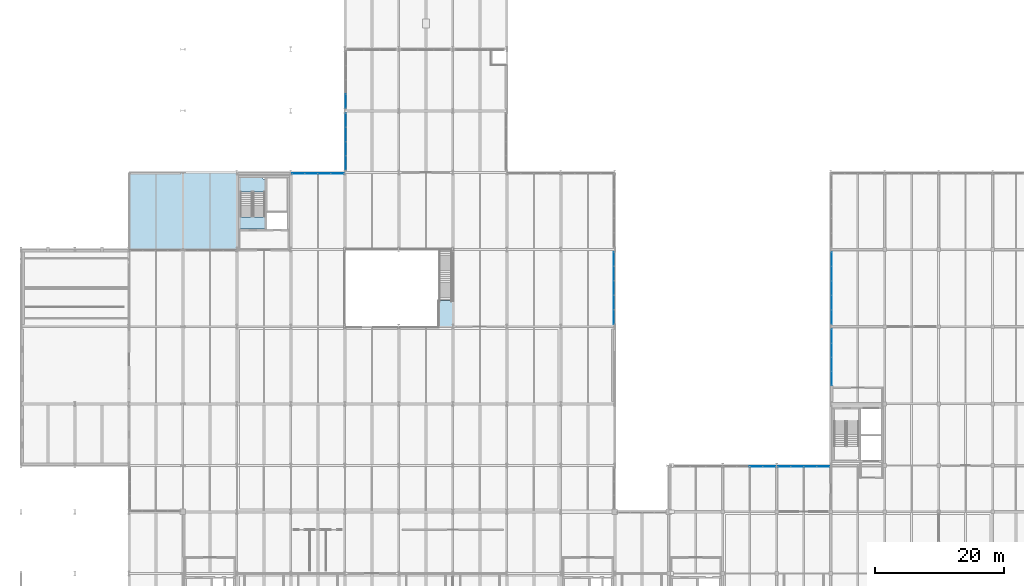
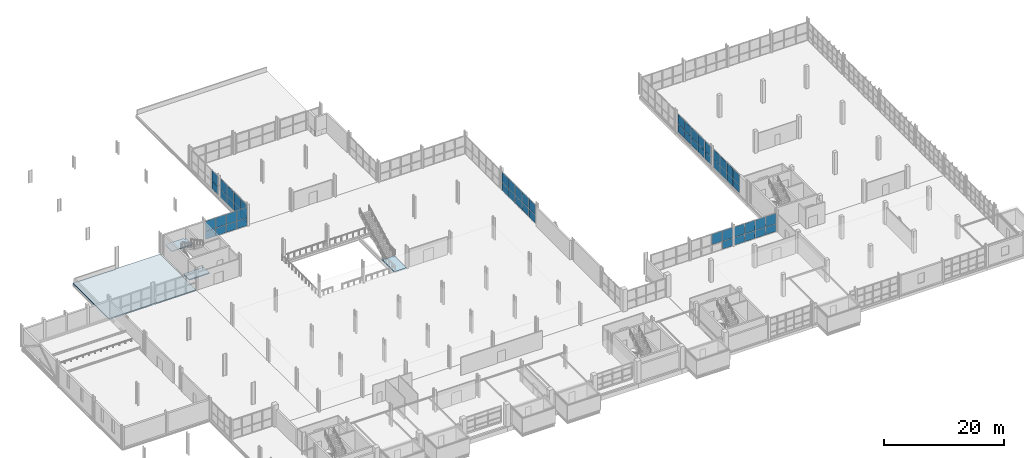
# One storey, part 89 of 113: 57 plates, 4 slabs, 9 elements without a shape of their own.
"""IFC4 building model written with IfcOpenShell, lengths in metres."""

import ifcopenshell
import ifcopenshell.guid

model = None  # the IFC model being written
_history = None  # IfcOwnerHistory: only IFC2X3 demands one
_inside = {}  # id of a spatial element -> (the spatial element, [elements in it])
_under = {}  # id of a project, library or spatial element -> (it, [spatial elements below it])
_declared = {}  # id of a project -> (the project, [libraries it declares])
_typed = {}  # id of a type object -> (the type object, [elements of that type])
_made_of = {}  # id of a material, layer set ... -> (it, [elements and type objects made of it])


def new_model(schema):
    """Start an empty IFC model of exactly this schema.

    Asked for "IFC4X3", IfcOpenShell would pick the latest addendum, in which some entities
    have other attributes; the version numbers below select the first issue.
    IFC2X3 requires an IfcOwnerHistory on every rooted entity: one is made here for all.
    """
    global model, _history
    if schema == "IFC4X3":
        model = ifcopenshell.file(schema_version=(4, 3, 0, 0))
    else:
        model = ifcopenshell.file(schema=schema)
    _inside.clear()
    _under.clear()
    _declared.clear()
    _typed.clear()
    _made_of.clear()
    _history = None
    if model.schema == "IFC2X3":
        org = make("IfcOrganization", Name="unknown")
        user = make(
            "IfcPersonAndOrganization",
            ThePerson=make("IfcPerson", FamilyName="unknown"),
            TheOrganization=org,
        )
        app = make(
            "IfcApplication",
            ApplicationDeveloper=org,
            Version="unknown",
            ApplicationFullName="unknown",
            ApplicationIdentifier="unknown",
        )
        _history = make(
            "IfcOwnerHistory",
            OwningUser=user,
            OwningApplication=app,
            ChangeAction="ADDED",
            CreationDate=0,
        )
    return model


def make(cls, **values):
    """One entity of the class cls with the attributes given. An attribute that is None is left unset."""
    return model.create_entity(
        cls, **{name: value for name, value in values.items() if value is not None}
    )


def rooted(cls, **values):
    """An entity with a GlobalId (a new one), such as an element, a storey or a relation."""
    return make(cls, GlobalId=ifcopenshell.guid.new(), OwnerHistory=_history, **values)


def si_unit(unit_type, name, prefix=None):
    """IfcSIUnit, for example si_unit("LENGTHUNIT", "METRE", prefix="MILLI")."""
    return make("IfcSIUnit", UnitType=unit_type, Prefix=prefix, Name=name)


def assignment(units):
    """IfcUnitAssignment: the units of a project."""
    return None if units is None else make("IfcUnitAssignment", Units=units)


def point(xyz):
    """IfcCartesianPoint."""
    return None if xyz is None else make("IfcCartesianPoint", Coordinates=xyz)


def direction(xyz):
    """IfcDirection."""
    return None if xyz is None else make("IfcDirection", DirectionRatios=xyz)


def frame(location, z_axis=None, x_axis=None):
    """IfcAxis2Placement3D, a coordinate frame: its origin and axes. An axis left out is left unset."""
    return make(
        "IfcAxis2Placement3D",
        Location=point(location),
        Axis=direction(z_axis),
        RefDirection=direction(x_axis),
    )


def frame_2d(location, x_axis=None):
    """IfcAxis2Placement2D, a coordinate frame in the plane: its origin and x axis."""
    return make(
        "IfcAxis2Placement2D", Location=point(location), RefDirection=direction(x_axis)
    )


def origin():
    """The frame at (0, 0, 0) with its axes left unset."""
    return frame((0.0, 0.0, 0.0))


def origin_2d():
    """The frame at (0, 0) in the plane with its x axis left unset."""
    return frame_2d((0.0, 0.0))


def place(relative_to, where):
    """IfcLocalPlacement: puts the frame where relative to a parent placement (None: the world)."""
    return make(
        "IfcLocalPlacement", PlacementRelTo=relative_to, RelativePlacement=where
    )


def context(
    kind, dimensions, precision=None, world=None, true_north=None, identifier=None
):
    """IfcGeometricRepresentationContext, for example the 3D "Model" context."""
    return make(
        "IfcGeometricRepresentationContext",
        ContextIdentifier=identifier,
        ContextType=kind,
        CoordinateSpaceDimension=dimensions,
        Precision=precision,
        WorldCoordinateSystem=world,
        TrueNorth=true_north,
    )


def subcontext(parent, identifier, kind, view, scale=None):
    """IfcGeometricRepresentationSubContext, for example "Body" below "Model"."""
    return make(
        "IfcGeometricRepresentationSubContext",
        ContextIdentifier=identifier,
        ContextType=kind,
        ParentContext=parent,
        TargetScale=scale,
        TargetView=view,
    )


def project(units=None, contexts=None):
    """IfcProject with its units and contexts."""
    return rooted(
        "IfcProject",
        Name="project",
        RepresentationContexts=contexts,
        UnitsInContext=assignment(units),
    )


def spatial(cls, under=None, at=None, **own):
    """A site, building, storey or space (cls), placed at a placement, below another one or the project."""
    s = rooted(cls, ObjectPlacement=at, **own)
    if under is not None:
        _under.setdefault(under.id(), (under, []))[1].append(s)
    return s


def polyline(points):
    """IfcPolyline through the points."""
    return make("IfcPolyline", Points=[point(p) for p in points])


def profile(cls, at=None, kind="AREA", **sizes):
    """A parametric profile (cls). Its sizes go by their IFC names, for example OverallWidth=200.0."""
    return make(cls, ProfileType=kind, Position=at, **sizes)


def rectangle(**sizes):
    """IfcRectangleProfileDef."""
    return profile("IfcRectangleProfileDef", **sizes)


def outline(outer, holes=None, kind="AREA"):
    """IfcArbitraryClosedProfileDef: a profile drawn as a closed curve; with holes, ...WithVoids."""
    if holes is None:
        return make("IfcArbitraryClosedProfileDef", ProfileType=kind, OuterCurve=outer)
    return make(
        "IfcArbitraryProfileDefWithVoids",
        ProfileType=kind,
        OuterCurve=outer,
        InnerCurves=holes,
    )


def extrude(swept, where, along, depth):
    """IfcExtrudedAreaSolid: the profile swept, set in the frame where, extruded along a direction by depth."""
    return make(
        "IfcExtrudedAreaSolid",
        SweptArea=swept,
        Position=where,
        ExtrudedDirection=direction(along),
        Depth=depth,
    )


def shape(context_of_items, identifier, shape_type, items):
    """IfcShapeRepresentation: the items that make up one representation, for example the "Body"."""
    return make(
        "IfcShapeRepresentation",
        ContextOfItems=context_of_items,
        RepresentationIdentifier=identifier,
        RepresentationType=shape_type,
        Items=items,
    )


def material(Name=None, Category=None):
    """IfcMaterial."""
    return make("IfcMaterial", Name=Name, Category=Category)


def layer(
    of_material, thickness, ventilated=None, Name=None, Category=None, Priority=None
):
    """IfcMaterialLayer: one layer of a wall or slab, of a material (None: an air gap)."""
    return make(
        "IfcMaterialLayer",
        Material=of_material,
        LayerThickness=thickness,
        IsVentilated=ventilated,
        Name=Name,
        Category=Category,
        Priority=Priority,
    )


def layer_set(layers, Name=None):
    """IfcMaterialLayerSet."""
    return make("IfcMaterialLayerSet", MaterialLayers=layers, LayerSetName=Name)


def made_of(thing, what):
    """Note that an element or type object is made of a material, layer set ...; save() writes the relation."""
    if what is not None:
        _made_of.setdefault(what.id(), (what, []))[1].append(thing)
    return thing


def type_object(cls, material=None, **own):
    """A type object (cls), such as IfcWallType, which elements share."""
    return made_of(rooted(cls, **own), material)


def element(
    cls,
    number,
    at=None,
    inside=None,
    cuts=None,
    type_object=None,
    material=None,
    context=None,
    identifier="Body",
    shape_type=None,
    held_by="IfcProductDefinitionShape",
    body=None,
    shapes=None,
    **own,
):
    """One element of the class cls, such as IfcWall. Its Tag is "e" and its number.

    at: its placement. inside: the storey or other place that contains it. cuts: it is an
    opening in that element (IfcRelVoidsElement). A single representation is given by context,
    identifier, shape_type and body (its items); several are given by shapes. held_by: the class
    of the entity that holds the representations. save() writes the other relations.
    """
    e = rooted(cls, Tag="e%d" % number, ObjectPlacement=at, **own)
    if body is not None:
        shapes = [shape(context, identifier, shape_type, body)]
    if shapes is not None:
        e.Representation = make(held_by, Representations=shapes)
    if inside is not None:
        _inside.setdefault(inside.id(), (inside, []))[1].append(e)
    if cuts is not None:
        rooted(
            "IfcRelVoidsElement", RelatingBuildingElement=cuts, RelatedOpeningElement=e
        )
    if type_object is not None:
        _typed.setdefault(type_object.id(), (type_object, []))[1].append(e)
    return made_of(e, material)


def aggregate(whole, parts):
    """IfcRelAggregates: a whole, such as a stair, and the parts it consists of."""
    return rooted("IfcRelAggregates", RelatingObject=whole, RelatedObjects=parts)


def save(model, path):
    """Write the relations noted so far, then the file.

    IfcRelAggregates (storeys below a building ...), IfcRelContainedInSpatialStructure (elements
    in a storey), IfcRelDefinesByType, IfcRelAssociatesMaterial and IfcRelDeclares: one each for
    every whole, place, type object, material and project.
    """
    for whole, parts in _under.values():
        aggregate(whole, parts)
    for where, things in _inside.values():
        rooted(
            "IfcRelContainedInSpatialStructure",
            RelatedElements=things,
            RelatingStructure=where,
        )
    for kind, things in _typed.values():
        rooted("IfcRelDefinesByType", RelatedObjects=things, RelatingType=kind)
    for what, things in _made_of.values():
        rooted("IfcRelAssociatesMaterial", RelatedObjects=things, RelatingMaterial=what)
    for by, libraries in _declared.values():
        rooted("IfcRelDeclares", RelatingContext=by, RelatedDefinitions=libraries)
    model.write(path)


model = new_model("IFC4")

# Units and contexts
model_context = context("Model", 3, precision=1e-05, world=origin(), true_north=direction((0.0, 1.0)))
body_context = subcontext(model_context, "Body", "Model", "MODEL_VIEW")
ifc_project = project(units=[si_unit("LENGTHUNIT", "METRE"), si_unit("AREAUNIT", "SQUARE_METRE"), si_unit("VOLUMEUNIT", "CUBIC_METRE"), si_unit("PLANEANGLEUNIT", "RADIAN"), si_unit("MASSUNIT", "GRAM", prefix="KILO")], contexts=[model_context])

# Site, building, storey
site_placement = place(None, origin())
site = spatial("IfcSite", under=ifc_project, at=site_placement, CompositionType="ELEMENT")
building_placement = place(site_placement, origin())
building = spatial("IfcBuilding", under=site, at=building_placement, Name="Veltarok Museum of Natural Sciences", CompositionType="ELEMENT")
storey_placement = place(building_placement, frame((0.0, 0.0, 8.39990234375)))
storey = spatial("IfcBuildingStorey", under=building, at=storey_placement, Name="L01", CompositionType="ELEMENT", Elevation=8.39990234375)

# Slabs
ifc_material_1 = material(Name="Concrete C35/45", Category="concrete")
ifc_layer_1 = layer(ifc_material_1, 0.239990234375)
ifc_layer_set_1 = layer_set([ifc_layer_1], Name="Concrete C35/45")
slab_type_1 = type_object("IfcSlabType", Name="Insulated Flat Wing Roof Slab 240", PredefinedType="ROOF", material=ifc_layer_set_1)
slab_1_placement = place(storey_placement, frame((0.0, 0.0, -0.239990234375)))
element("IfcSlab", 1, at=slab_1_placement, inside=storey, type_object=slab_type_1, Name="Flat Wing Roof Slab RF-V6CN", PredefinedType="ROOF", context=body_context, shape_type="SweptSolid", body=[
    extrude(outline(polyline([(23.199951171875, 60.02001953125), (23.199951171875, 72.0), (31.580078125, 72.0), (31.580078125, 71.97998046875), (39.97998046875, 71.97998046875), (39.97998046875, 60.02001953125), (23.199951171875, 60.02001953125)])), origin(), (0.0, 0.0, 1.0), 0.239990234375),
])
ifc_layer_2 = layer(ifc_material_1, 0.199951171875)
ifc_layer_set_2 = layer_set([ifc_layer_2], Name="Concrete C35/45")
slab_type_2 = type_object("IfcSlabType", Name="Protected Stair Intermediate Landing Slab 200", PredefinedType="LANDING", material=ifc_layer_set_2)
slab_2_placement = place(storey_placement, frame((0.0, 0.0, -0.199951171875)))
element("IfcSlab", 2, at=slab_2_placement, inside=storey, type_object=slab_type_2, Name="Stairwell Floor Landing ST-03 L01", PredefinedType="LANDING", context=body_context, shape_type="SweptSolid", body=[
    extrude(outline(polyline([(40.510009765625, 63.179931640625), (44.389892578125, 63.179931640625), (44.389892578125, 65.10009765625), (40.510009765625, 65.10009765625), (40.510009765625, 63.179931640625)])), origin(), (0.0, 0.0, 1.0), 0.199951171875),
])

# Stair, slab
ifc_material_2 = material(Name="Precast concrete C40/50", Category="concrete")
stair_type = type_object("IfcStairType", Name="Protected Half-Turn Escape Stair H4500", PredefinedType="HALF_TURN_STAIR", material=ifc_material_2)
stair_placement = place(storey_placement, origin())
stair = element("IfcStair", 3, at=stair_placement, inside=storey, type_object=stair_type, Name="Protected Escape Stair ST-03-L01", PredefinedType="HALF_TURN_STAIR")
slab_3_placement = place(storey_placement, frame((0.0, 0.0, 2.050048828125)))
slab_3 = element("IfcSlab", 4, at=slab_3_placement, type_object=slab_type_2, Name="ST-03-L01 landing 1", PredefinedType="LANDING", context=body_context, shape_type="SweptSolid", body=[
    extrude(outline(polyline([(40.510009765625, 69.0), (44.389892578125, 69.0), (44.389892578125, 70.97998046875), (44.070068359375, 70.97998046875), (44.070068359375, 71.219970703125), (40.510009765625, 71.219970703125), (40.510009765625, 69.0)])), origin(), (0.0, 0.0, 1.0), 0.199951171875),
])
aggregate(stair, [slab_3])

# Slab
ifc_layer_3 = layer(ifc_material_1, 0.25)
ifc_layer_set_3 = layer_set([ifc_layer_3], Name="Concrete C35/45")
slab_type_3 = type_object("IfcSlabType", Name="Suspended Museum Floor Slab 250", PredefinedType="FLOOR", material=ifc_layer_set_3)
slab_4_placement = place(storey_placement, frame((0.0, 0.0, -0.25)))
element("IfcSlab", 5, at=slab_4_placement, inside=storey, type_object=slab_type_3, Name="Atrium Feature Stair Departure Balcony L01", PredefinedType="FLOOR", context=body_context, shape_type="SweptSolid", body=[
    extrude(outline(polyline([(71.300048828125, 48.0), (73.60009765625, 48.0), (73.60009765625, 52.070068359375), (71.300048828125, 52.070068359375), (71.300048828125, 48.0)])), origin(), (0.0, 0.0, 1.0), 0.25),
])

# Curtain wall, plates
ifc_material_3 = material(Name="Low-iron triple insulated glass", Category="glass")
curtain_wall_type_1 = type_object("IfcCurtainWallType", Name="Curtain Wall System CW-V2E-L01-1-1130x383 (CW-V2E L01 1130x383cm)", PredefinedType="NOTDEFINED", material=ifc_material_3)
curtain_wall_1_placement = place(storey_placement, origin())
curtain_wall_1 = element("IfcCurtainWall", 6, at=curtain_wall_1_placement, inside=storey, type_object=curtain_wall_type_1, Name="Curtain Wall CW-V2E-L01-1-1130x383 CW-0129", PredefinedType="NOTDEFINED")
ifc_layer_4 = layer(ifc_material_3, 0.028076171875)
ifc_layer_set_4 = layer_set([ifc_layer_4], Name="Low-iron triple insulated glass")
plate_type = type_object("IfcPlateType", Name="Triple Low-Iron Glazed Vision Panel 28", PredefinedType="CURTAIN_PANEL", material=ifc_layer_set_4)
plate_1_placement = place(storey_placement, frame((98.64990234375, 49.4951171875, 0.05810546875), z_axis=(0.0, 0.0, 1.0), x_axis=(0.0, 1.0, 0.0)))
plate_1 = element("IfcPlate", 7, at=plate_1_placement, type_object=plate_type, Name="CW-V2E-L01-1-1130x383 panel 1.1", PredefinedType="CURTAIN_PANEL", context=body_context, shape_type="SweptSolid", body=[
    extrude(rectangle(XDim=2.169921875, YDim=0.028076171875, at=origin_2d()), origin(), (0.0, 0.0, 1.0), 1.56005859375),
])
plate_2_placement = place(storey_placement, frame((98.64990234375, 49.4951171875, 1.67822265625), z_axis=(0.0, 0.0, 1.0), x_axis=(0.0, 1.0, 0.0)))
plate_2 = element("IfcPlate", 8, at=plate_2_placement, type_object=plate_type, Name="CW-V2E-L01-1-1130x383 panel 1.2", PredefinedType="CURTAIN_PANEL", context=body_context, shape_type="SweptSolid", body=[
    extrude(rectangle(XDim=2.169921875, YDim=0.028076171875, at=origin_2d()), origin(), (0.0, 0.0, 1.0), 2.092041015625),
])
plate_3_placement = place(storey_placement, frame((98.64990234375, 51.739990234375, 0.05810546875), z_axis=(0.0, 0.0, 1.0), x_axis=(0.0, 1.0, 0.0)))
plate_3 = element("IfcPlate", 9, at=plate_3_placement, type_object=plate_type, Name="CW-V2E-L01-1-1130x383 panel 2.1", PredefinedType="CURTAIN_PANEL", context=body_context, shape_type="SweptSolid", body=[
    extrude(rectangle(XDim=2.199951171875, YDim=0.028076171875, at=origin_2d()), origin(), (0.0, 0.0, 1.0), 1.56005859375),
])
plate_4_placement = place(storey_placement, frame((98.64990234375, 51.739990234375, 1.67822265625), z_axis=(0.0, 0.0, 1.0), x_axis=(0.0, 1.0, 0.0)))
plate_4 = element("IfcPlate", 10, at=plate_4_placement, type_object=plate_type, Name="CW-V2E-L01-1-1130x383 panel 2.2", PredefinedType="CURTAIN_PANEL", context=body_context, shape_type="SweptSolid", body=[
    extrude(rectangle(XDim=2.199951171875, YDim=0.028076171875, at=origin_2d()), origin(), (0.0, 0.0, 1.0), 2.092041015625),
])
plate_5_placement = place(storey_placement, frame((98.64990234375, 54.0, 0.05810546875), z_axis=(0.0, 0.0, 1.0), x_axis=(0.0, 1.0, 0.0)))
plate_5 = element("IfcPlate", 11, at=plate_5_placement, type_object=plate_type, Name="CW-V2E-L01-1-1130x383 panel 3.1", PredefinedType="CURTAIN_PANEL", context=body_context, shape_type="SweptSolid", body=[
    extrude(rectangle(XDim=2.199951171875, YDim=0.028076171875, at=origin_2d()), origin(), (0.0, 0.0, 1.0), 1.56005859375),
])
plate_6_placement = place(storey_placement, frame((98.64990234375, 54.0, 1.67822265625), z_axis=(0.0, 0.0, 1.0), x_axis=(0.0, 1.0, 0.0)))
plate_6 = element("IfcPlate", 12, at=plate_6_placement, type_object=plate_type, Name="CW-V2E-L01-1-1130x383 panel 3.2", PredefinedType="CURTAIN_PANEL", context=body_context, shape_type="SweptSolid", body=[
    extrude(rectangle(XDim=2.199951171875, YDim=0.028076171875, at=origin_2d()), origin(), (0.0, 0.0, 1.0), 2.092041015625),
])
plate_7_placement = place(storey_placement, frame((98.64990234375, 56.260009765625, 0.05810546875), z_axis=(0.0, 0.0, 1.0), x_axis=(0.0, 1.0, 0.0)))
plate_7 = element("IfcPlate", 13, at=plate_7_placement, type_object=plate_type, Name="CW-V2E-L01-1-1130x383 panel 4.1", PredefinedType="CURTAIN_PANEL", context=body_context, shape_type="SweptSolid", body=[
    extrude(rectangle(XDim=2.199951171875, YDim=0.028076171875, at=origin_2d()), origin(), (0.0, 0.0, 1.0), 1.56005859375),
])
plate_8_placement = place(storey_placement, frame((98.64990234375, 56.260009765625, 1.67822265625), z_axis=(0.0, 0.0, 1.0), x_axis=(0.0, 1.0, 0.0)))
plate_8 = element("IfcPlate", 14, at=plate_8_placement, type_object=plate_type, Name="CW-V2E-L01-1-1130x383 panel 4.2", PredefinedType="CURTAIN_PANEL", context=body_context, shape_type="SweptSolid", body=[
    extrude(rectangle(XDim=2.199951171875, YDim=0.028076171875, at=origin_2d()), origin(), (0.0, 0.0, 1.0), 2.092041015625),
])
plate_9_placement = place(storey_placement, frame((98.64990234375, 58.5048828125, 0.05810546875), z_axis=(0.0, 0.0, 1.0), x_axis=(0.0, 1.0, 0.0)))
plate_9 = element("IfcPlate", 15, at=plate_9_placement, type_object=plate_type, Name="CW-V2E-L01-1-1130x383 panel 5.1", PredefinedType="CURTAIN_PANEL", context=body_context, shape_type="SweptSolid", body=[
    extrude(rectangle(XDim=2.169921875, YDim=0.028076171875, at=origin_2d()), origin(), (0.0, 0.0, 1.0), 1.56005859375),
])
plate_10_placement = place(storey_placement, frame((98.64990234375, 58.5048828125, 1.67822265625), z_axis=(0.0, 0.0, 1.0), x_axis=(0.0, 1.0, 0.0)))
plate_10 = element("IfcPlate", 16, at=plate_10_placement, type_object=plate_type, Name="CW-V2E-L01-1-1130x383 panel 5.2", PredefinedType="CURTAIN_PANEL", context=body_context, shape_type="SweptSolid", body=[
    extrude(rectangle(XDim=2.169921875, YDim=0.028076171875, at=origin_2d()), origin(), (0.0, 0.0, 1.0), 2.092041015625),
])
aggregate(curtain_wall_1, [plate_1, plate_2, plate_3, plate_4, plate_5, plate_6, plate_7, plate_8, plate_9, plate_10])

curtain_wall_type_2 = type_object("IfcCurtainWallType", Name="Curtain Wall System CW-V2NH-L01-1-810x383 (CW-V2NH L01 810x383cm)", PredefinedType="NOTDEFINED", material=ifc_material_3)
curtain_wall_2_placement = place(storey_placement, origin())
curtain_wall_2 = element("IfcCurtainWall", 17, at=curtain_wall_2_placement, inside=storey, type_object=curtain_wall_type_2, Name="Curtain Wall CW-V2NH-L01-1-810x383 CW-0153", PredefinedType="NOTDEFINED")
plate_11_placement = place(storey_placement, frame((55.62255859375, 71.85009765625, 0.05810546875), z_axis=(0.0, 0.0, 1.0), x_axis=(-1.0, 0.0, 0.0)))
plate_11 = element("IfcPlate", 18, at=plate_11_placement, type_object=plate_type, Name="CW-V2NH-L01-1-810x383 panel 1.1", PredefinedType="CURTAIN_PANEL", context=body_context, shape_type="SweptSolid", body=[
    extrude(rectangle(XDim=1.93505859375, YDim=0.028076171875, at=origin_2d()), origin(), (0.0, 0.0, 1.0), 1.56005859375),
])
plate_12_placement = place(storey_placement, frame((55.62255859375, 71.85009765625, 1.67822265625), z_axis=(0.0, 0.0, 1.0), x_axis=(-1.0, 0.0, 0.0)))
plate_12 = element("IfcPlate", 19, at=plate_12_placement, type_object=plate_type, Name="CW-V2NH-L01-1-810x383 panel 1.2", PredefinedType="CURTAIN_PANEL", context=body_context, shape_type="SweptSolid", body=[
    extrude(rectangle(XDim=1.93505859375, YDim=0.028076171875, at=origin_2d()), origin(), (0.0, 0.0, 1.0), 2.092041015625),
])
plate_13_placement = place(storey_placement, frame((53.612548828125, 71.85009765625, 0.05810546875), z_axis=(0.0, 0.0, 1.0), x_axis=(-1.0, 0.0, 0.0)))
plate_13 = element("IfcPlate", 20, at=plate_13_placement, type_object=plate_type, Name="CW-V2NH-L01-1-810x383 panel 2.1", PredefinedType="CURTAIN_PANEL", context=body_context, shape_type="SweptSolid", body=[
    extrude(rectangle(XDim=1.965087890625, YDim=0.028076171875, at=origin_2d()), origin(), (0.0, 0.0, 1.0), 1.56005859375),
])
plate_14_placement = place(storey_placement, frame((53.612548828125, 71.85009765625, 1.67822265625), z_axis=(0.0, 0.0, 1.0), x_axis=(-1.0, 0.0, 0.0)))
plate_14 = element("IfcPlate", 21, at=plate_14_placement, type_object=plate_type, Name="CW-V2NH-L01-1-810x383 panel 2.2", PredefinedType="CURTAIN_PANEL", context=body_context, shape_type="SweptSolid", body=[
    extrude(rectangle(XDim=1.965087890625, YDim=0.028076171875, at=origin_2d()), origin(), (0.0, 0.0, 1.0), 2.092041015625),
])
plate_15_placement = place(storey_placement, frame((51.58740234375, 71.85009765625, 0.05810546875), z_axis=(0.0, 0.0, 1.0), x_axis=(-1.0, 0.0, 0.0)))
plate_15 = element("IfcPlate", 22, at=plate_15_placement, type_object=plate_type, Name="CW-V2NH-L01-1-810x383 panel 3.1", PredefinedType="CURTAIN_PANEL", context=body_context, shape_type="SweptSolid", body=[
    extrude(rectangle(XDim=1.965087890625, YDim=0.028076171875, at=origin_2d()), origin(), (0.0, 0.0, 1.0), 1.56005859375),
])
plate_16_placement = place(storey_placement, frame((51.58740234375, 71.85009765625, 1.67822265625), z_axis=(0.0, 0.0, 1.0), x_axis=(-1.0, 0.0, 0.0)))
plate_16 = element("IfcPlate", 23, at=plate_16_placement, type_object=plate_type, Name="CW-V2NH-L01-1-810x383 panel 3.2", PredefinedType="CURTAIN_PANEL", context=body_context, shape_type="SweptSolid", body=[
    extrude(rectangle(XDim=1.965087890625, YDim=0.028076171875, at=origin_2d()), origin(), (0.0, 0.0, 1.0), 2.092041015625),
])
plate_17_placement = place(storey_placement, frame((49.577392578125, 71.85009765625, 0.05810546875), z_axis=(0.0, 0.0, 1.0), x_axis=(-1.0, 0.0, 0.0)))
plate_17 = element("IfcPlate", 24, at=plate_17_placement, type_object=plate_type, Name="CW-V2NH-L01-1-810x383 panel 4.1", PredefinedType="CURTAIN_PANEL", context=body_context, shape_type="SweptSolid", body=[
    extrude(rectangle(XDim=1.93505859375, YDim=0.028076171875, at=origin_2d()), origin(), (0.0, 0.0, 1.0), 1.56005859375),
])
plate_18_placement = place(storey_placement, frame((49.577392578125, 71.85009765625, 1.67822265625), z_axis=(0.0, 0.0, 1.0), x_axis=(-1.0, 0.0, 0.0)))
plate_18 = element("IfcPlate", 25, at=plate_18_placement, type_object=plate_type, Name="CW-V2NH-L01-1-810x383 panel 4.2", PredefinedType="CURTAIN_PANEL", context=body_context, shape_type="SweptSolid", body=[
    extrude(rectangle(XDim=1.93505859375, YDim=0.028076171875, at=origin_2d()), origin(), (0.0, 0.0, 1.0), 2.092041015625),
])
aggregate(curtain_wall_2, [plate_11, plate_12, plate_13, plate_14, plate_15, plate_16, plate_17, plate_18])

curtain_wall_type_3 = type_object("IfcCurtainWallType", Name="Curtain Wall System CW-V5CW-L01-2-880x378 (CW-V5CW L01 880x378cm)", PredefinedType="NOTDEFINED", material=ifc_material_3)
curtain_wall_3_placement = place(storey_placement, origin())
curtain_wall_3 = element("IfcCurtainWall", 26, at=curtain_wall_3_placement, inside=storey, type_object=curtain_wall_type_3, Name="Curtain Wall CW-V5CW-L01-2-880x378 CW-0174", PredefinedType="NOTDEFINED")
plate_19_placement = place(storey_placement, frame((132.550048828125, 39.965087890625, 0.05810546875), z_axis=(0.0, 0.0, 1.0), x_axis=(0.0, 1.0, 0.0)))
plate_19 = element("IfcPlate", 27, at=plate_19_placement, type_object=plate_type, Name="CW-V5CW-L01-2-880x378 panel 1.1", PredefinedType="CURTAIN_PANEL", context=body_context, shape_type="SweptSolid", body=[
    extrude(rectangle(XDim=2.110107421875, YDim=0.028076171875, at=origin_2d()), origin(), (0.0, 0.0, 1.0), 1.56005859375),
])
plate_20_placement = place(storey_placement, frame((132.550048828125, 39.965087890625, 1.67822265625), z_axis=(0.0, 0.0, 1.0), x_axis=(0.0, 1.0, 0.0)))
plate_20 = element("IfcPlate", 28, at=plate_20_placement, type_object=plate_type, Name="CW-V5CW-L01-2-880x378 panel 1.2", PredefinedType="CURTAIN_PANEL", context=body_context, shape_type="SweptSolid", body=[
    extrude(rectangle(XDim=2.110107421875, YDim=0.028076171875, at=origin_2d()), origin(), (0.0, 0.0, 1.0), 2.0419921875),
])
plate_21_placement = place(storey_placement, frame((132.550048828125, 42.14990234375, 0.05810546875), z_axis=(0.0, 0.0, 1.0), x_axis=(0.0, 1.0, 0.0)))
plate_21 = element("IfcPlate", 29, at=plate_21_placement, type_object=plate_type, Name="CW-V5CW-L01-2-880x378 panel 2.1", PredefinedType="CURTAIN_PANEL", context=body_context, shape_type="SweptSolid", body=[
    extrude(rectangle(XDim=2.139892578125, YDim=0.028076171875, at=origin_2d()), origin(), (0.0, 0.0, 1.0), 1.56005859375),
])
plate_22_placement = place(storey_placement, frame((132.550048828125, 42.14990234375, 1.67822265625), z_axis=(0.0, 0.0, 1.0), x_axis=(0.0, 1.0, 0.0)))
plate_22 = element("IfcPlate", 30, at=plate_22_placement, type_object=plate_type, Name="CW-V5CW-L01-2-880x378 panel 2.2", PredefinedType="CURTAIN_PANEL", context=body_context, shape_type="SweptSolid", body=[
    extrude(rectangle(XDim=2.139892578125, YDim=0.028076171875, at=origin_2d()), origin(), (0.0, 0.0, 1.0), 2.0419921875),
])
plate_23_placement = place(storey_placement, frame((132.550048828125, 44.35009765625, 0.05810546875), z_axis=(0.0, 0.0, 1.0), x_axis=(0.0, 1.0, 0.0)))
plate_23 = element("IfcPlate", 31, at=plate_23_placement, type_object=plate_type, Name="CW-V5CW-L01-2-880x378 panel 3.1", PredefinedType="CURTAIN_PANEL", context=body_context, shape_type="SweptSolid", body=[
    extrude(rectangle(XDim=2.139892578125, YDim=0.028076171875, at=origin_2d()), origin(), (0.0, 0.0, 1.0), 1.56005859375),
])
plate_24_placement = place(storey_placement, frame((132.550048828125, 44.35009765625, 1.67822265625), z_axis=(0.0, 0.0, 1.0), x_axis=(0.0, 1.0, 0.0)))
plate_24 = element("IfcPlate", 32, at=plate_24_placement, type_object=plate_type, Name="CW-V5CW-L01-2-880x378 panel 3.2", PredefinedType="CURTAIN_PANEL", context=body_context, shape_type="SweptSolid", body=[
    extrude(rectangle(XDim=2.139892578125, YDim=0.028076171875, at=origin_2d()), origin(), (0.0, 0.0, 1.0), 2.0419921875),
])
plate_25_placement = place(storey_placement, frame((132.550048828125, 46.534912109375, 0.05810546875), z_axis=(0.0, 0.0, 1.0), x_axis=(0.0, 1.0, 0.0)))
plate_25 = element("IfcPlate", 33, at=plate_25_placement, type_object=plate_type, Name="CW-V5CW-L01-2-880x378 panel 4.1", PredefinedType="CURTAIN_PANEL", context=body_context, shape_type="SweptSolid", body=[
    extrude(rectangle(XDim=2.110107421875, YDim=0.028076171875, at=origin_2d()), origin(), (0.0, 0.0, 1.0), 1.56005859375),
])
plate_26_placement = place(storey_placement, frame((132.550048828125, 46.534912109375, 1.67822265625), z_axis=(0.0, 0.0, 1.0), x_axis=(0.0, 1.0, 0.0)))
plate_26 = element("IfcPlate", 34, at=plate_26_placement, type_object=plate_type, Name="CW-V5CW-L01-2-880x378 panel 4.2", PredefinedType="CURTAIN_PANEL", context=body_context, shape_type="SweptSolid", body=[
    extrude(rectangle(XDim=2.110107421875, YDim=0.028076171875, at=origin_2d()), origin(), (0.0, 0.0, 1.0), 2.0419921875),
])
aggregate(curtain_wall_3, [plate_19, plate_20, plate_21, plate_22, plate_23, plate_24, plate_25, plate_26])

curtain_wall_type_4 = type_object("IfcCurtainWallType", Name="Curtain Wall System CW-V5CW-L01-3-1130x373 (CW-V5CW L01 1130x373cm)", PredefinedType="NOTDEFINED", material=ifc_material_3)
curtain_wall_4_placement = place(storey_placement, origin())
curtain_wall_4 = element("IfcCurtainWall", 35, at=curtain_wall_4_placement, inside=storey, type_object=curtain_wall_type_4, Name="Curtain Wall CW-V5CW-L01-3-1130x373 CW-0175", PredefinedType="NOTDEFINED")
plate_27_placement = place(storey_placement, frame((132.550048828125, 49.4951171875, 0.05810546875), z_axis=(0.0, 0.0, 1.0), x_axis=(0.0, 1.0, 0.0)))
plate_27 = element("IfcPlate", 36, at=plate_27_placement, type_object=plate_type, Name="CW-V5CW-L01-3-1130x373 panel 1.1", PredefinedType="CURTAIN_PANEL", context=body_context, shape_type="SweptSolid", body=[
    extrude(rectangle(XDim=2.169921875, YDim=0.028076171875, at=origin_2d()), origin(), (0.0, 0.0, 1.0), 1.56005859375),
])
plate_28_placement = place(storey_placement, frame((132.550048828125, 49.4951171875, 1.67822265625), z_axis=(0.0, 0.0, 1.0), x_axis=(0.0, 1.0, 0.0)))
plate_28 = element("IfcPlate", 37, at=plate_28_placement, type_object=plate_type, Name="CW-V5CW-L01-3-1130x373 panel 1.2", PredefinedType="CURTAIN_PANEL", context=body_context, shape_type="SweptSolid", body=[
    extrude(rectangle(XDim=2.169921875, YDim=0.028076171875, at=origin_2d()), origin(), (0.0, 0.0, 1.0), 1.991943359375),
])
plate_29_placement = place(storey_placement, frame((132.550048828125, 51.739990234375, 0.05810546875), z_axis=(0.0, 0.0, 1.0), x_axis=(0.0, 1.0, 0.0)))
plate_29 = element("IfcPlate", 38, at=plate_29_placement, type_object=plate_type, Name="CW-V5CW-L01-3-1130x373 panel 2.1", PredefinedType="CURTAIN_PANEL", context=body_context, shape_type="SweptSolid", body=[
    extrude(rectangle(XDim=2.199951171875, YDim=0.028076171875, at=origin_2d()), origin(), (0.0, 0.0, 1.0), 1.56005859375),
])
plate_30_placement = place(storey_placement, frame((132.550048828125, 51.739990234375, 1.67822265625), z_axis=(0.0, 0.0, 1.0), x_axis=(0.0, 1.0, 0.0)))
plate_30 = element("IfcPlate", 39, at=plate_30_placement, type_object=plate_type, Name="CW-V5CW-L01-3-1130x373 panel 2.2", PredefinedType="CURTAIN_PANEL", context=body_context, shape_type="SweptSolid", body=[
    extrude(rectangle(XDim=2.199951171875, YDim=0.028076171875, at=origin_2d()), origin(), (0.0, 0.0, 1.0), 1.991943359375),
])
plate_31_placement = place(storey_placement, frame((132.550048828125, 54.0, 0.05810546875), z_axis=(0.0, 0.0, 1.0), x_axis=(0.0, 1.0, 0.0)))
plate_31 = element("IfcPlate", 40, at=plate_31_placement, type_object=plate_type, Name="CW-V5CW-L01-3-1130x373 panel 3.1", PredefinedType="CURTAIN_PANEL", context=body_context, shape_type="SweptSolid", body=[
    extrude(rectangle(XDim=2.199951171875, YDim=0.028076171875, at=origin_2d()), origin(), (0.0, 0.0, 1.0), 1.56005859375),
])
plate_32_placement = place(storey_placement, frame((132.550048828125, 54.0, 1.67822265625), z_axis=(0.0, 0.0, 1.0), x_axis=(0.0, 1.0, 0.0)))
plate_32 = element("IfcPlate", 41, at=plate_32_placement, type_object=plate_type, Name="CW-V5CW-L01-3-1130x373 panel 3.2", PredefinedType="CURTAIN_PANEL", context=body_context, shape_type="SweptSolid", body=[
    extrude(rectangle(XDim=2.199951171875, YDim=0.028076171875, at=origin_2d()), origin(), (0.0, 0.0, 1.0), 1.991943359375),
])
plate_33_placement = place(storey_placement, frame((132.550048828125, 56.260009765625, 0.05810546875), z_axis=(0.0, 0.0, 1.0), x_axis=(0.0, 1.0, 0.0)))
plate_33 = element("IfcPlate", 42, at=plate_33_placement, type_object=plate_type, Name="CW-V5CW-L01-3-1130x373 panel 4.1", PredefinedType="CURTAIN_PANEL", context=body_context, shape_type="SweptSolid", body=[
    extrude(rectangle(XDim=2.199951171875, YDim=0.028076171875, at=origin_2d()), origin(), (0.0, 0.0, 1.0), 1.56005859375),
])
plate_34_placement = place(storey_placement, frame((132.550048828125, 56.260009765625, 1.67822265625), z_axis=(0.0, 0.0, 1.0), x_axis=(0.0, 1.0, 0.0)))
plate_34 = element("IfcPlate", 43, at=plate_34_placement, type_object=plate_type, Name="CW-V5CW-L01-3-1130x373 panel 4.2", PredefinedType="CURTAIN_PANEL", context=body_context, shape_type="SweptSolid", body=[
    extrude(rectangle(XDim=2.199951171875, YDim=0.028076171875, at=origin_2d()), origin(), (0.0, 0.0, 1.0), 1.991943359375),
])
plate_35_placement = place(storey_placement, frame((132.550048828125, 58.5048828125, 0.05810546875), z_axis=(0.0, 0.0, 1.0), x_axis=(0.0, 1.0, 0.0)))
plate_35 = element("IfcPlate", 44, at=plate_35_placement, type_object=plate_type, Name="CW-V5CW-L01-3-1130x373 panel 5.1", PredefinedType="CURTAIN_PANEL", context=body_context, shape_type="SweptSolid", body=[
    extrude(rectangle(XDim=2.169921875, YDim=0.028076171875, at=origin_2d()), origin(), (0.0, 0.0, 1.0), 1.56005859375),
])
plate_36_placement = place(storey_placement, frame((132.550048828125, 58.5048828125, 1.67822265625), z_axis=(0.0, 0.0, 1.0), x_axis=(0.0, 1.0, 0.0)))
plate_36 = element("IfcPlate", 45, at=plate_36_placement, type_object=plate_type, Name="CW-V5CW-L01-3-1130x373 panel 5.2", PredefinedType="CURTAIN_PANEL", context=body_context, shape_type="SweptSolid", body=[
    extrude(rectangle(XDim=2.169921875, YDim=0.028076171875, at=origin_2d()), origin(), (0.0, 0.0, 1.0), 1.991943359375),
])
aggregate(curtain_wall_4, [plate_27, plate_28, plate_29, plate_30, plate_31, plate_32, plate_33, plate_34, plate_35, plate_36])

curtain_wall_type_5 = type_object("IfcCurtainWallType", Name="Curtain Wall System CW-V5CN-L01-0-810x388 (CW-V5CN L01 810x388cm)", PredefinedType="NOTDEFINED", material=ifc_material_3)
curtain_wall_5_placement = place(storey_placement, origin())
curtain_wall_5 = element("IfcCurtainWall", 46, at=curtain_wall_5_placement, inside=storey, type_object=curtain_wall_type_5, Name="Curtain Wall CW-V5CN-L01-0-810x388 CW-0188", PredefinedType="NOTDEFINED")
plate_37_placement = place(storey_placement, frame((122.822509765625, 26.25, 0.05810546875), z_axis=(0.0, 0.0, 1.0), x_axis=(-1.0, 0.0, 0.0)))
plate_37 = element("IfcPlate", 47, at=plate_37_placement, type_object=plate_type, Name="CW-V5CN-L01-0-810x388 panel 1.1", PredefinedType="CURTAIN_PANEL", context=body_context, shape_type="SweptSolid", body=[
    extrude(rectangle(XDim=1.93505859375, YDim=0.028076171875, at=origin_2d()), origin(), (0.0, 0.0, 1.0), 1.56005859375),
])
plate_38_placement = place(storey_placement, frame((122.822509765625, 26.25, 1.677978515625), z_axis=(0.0, 0.0, 1.0), x_axis=(-1.0, 0.0, 0.0)))
plate_38 = element("IfcPlate", 48, at=plate_38_placement, type_object=plate_type, Name="CW-V5CN-L01-0-810x388 panel 1.2", PredefinedType="CURTAIN_PANEL", context=body_context, shape_type="SweptSolid", body=[
    extrude(rectangle(XDim=1.93505859375, YDim=0.028076171875, at=origin_2d()), origin(), (0.0, 0.0, 1.0), 2.14208984375),
])
plate_39_placement = place(storey_placement, frame((120.8125, 26.25, 1.677978515625), z_axis=(0.0, 0.0, 1.0), x_axis=(-1.0, 0.0, 0.0)))
plate_39 = element("IfcPlate", 49, at=plate_39_placement, type_object=plate_type, Name="CW-V5CN-L01-0-810x388 panel 2.2", PredefinedType="CURTAIN_PANEL", context=body_context, shape_type="SweptSolid", body=[
    extrude(rectangle(XDim=1.965087890625, YDim=0.028076171875, at=origin_2d()), origin(), (0.0, 0.0, 1.0), 2.14208984375),
])
aggregate(curtain_wall_5, [plate_37, plate_38, plate_39])

curtain_wall_type_6 = type_object("IfcCurtainWallType", Name="Curtain Wall System CW-V5CN-L01-1-810x383 (CW-V5CN L01 810x383cm)", PredefinedType="NOTDEFINED", material=ifc_material_3)
curtain_wall_6_placement = place(storey_placement, origin())
curtain_wall_6 = element("IfcCurtainWall", 50, at=curtain_wall_6_placement, inside=storey, type_object=curtain_wall_type_6, Name="Curtain Wall CW-V5CN-L01-1-810x383 CW-0189", PredefinedType="NOTDEFINED")
plate_40_placement = place(storey_placement, frame((131.222412109375, 26.25, 0.05810546875), z_axis=(0.0, 0.0, 1.0), x_axis=(-1.0, 0.0, 0.0)))
plate_40 = element("IfcPlate", 51, at=plate_40_placement, type_object=plate_type, Name="CW-V5CN-L01-1-810x383 panel 1.1", PredefinedType="CURTAIN_PANEL", context=body_context, shape_type="SweptSolid", body=[
    extrude(rectangle(XDim=1.93505859375, YDim=0.028076171875, at=origin_2d()), origin(), (0.0, 0.0, 1.0), 1.56005859375),
])
plate_41_placement = place(storey_placement, frame((131.222412109375, 26.25, 1.67822265625), z_axis=(0.0, 0.0, 1.0), x_axis=(-1.0, 0.0, 0.0)))
plate_41 = element("IfcPlate", 52, at=plate_41_placement, type_object=plate_type, Name="CW-V5CN-L01-1-810x383 panel 1.2", PredefinedType="CURTAIN_PANEL", context=body_context, shape_type="SweptSolid", body=[
    extrude(rectangle(XDim=1.93505859375, YDim=0.028076171875, at=origin_2d()), origin(), (0.0, 0.0, 1.0), 2.092041015625),
])
plate_42_placement = place(storey_placement, frame((129.21240234375, 26.25, 0.05810546875), z_axis=(0.0, 0.0, 1.0), x_axis=(-1.0, 0.0, 0.0)))
plate_42 = element("IfcPlate", 53, at=plate_42_placement, type_object=plate_type, Name="CW-V5CN-L01-1-810x383 panel 2.1", PredefinedType="CURTAIN_PANEL", context=body_context, shape_type="SweptSolid", body=[
    extrude(rectangle(XDim=1.965087890625, YDim=0.028076171875, at=origin_2d()), origin(), (0.0, 0.0, 1.0), 1.56005859375),
])
plate_43_placement = place(storey_placement, frame((129.21240234375, 26.25, 1.67822265625), z_axis=(0.0, 0.0, 1.0), x_axis=(-1.0, 0.0, 0.0)))
plate_43 = element("IfcPlate", 54, at=plate_43_placement, type_object=plate_type, Name="CW-V5CN-L01-1-810x383 panel 2.2", PredefinedType="CURTAIN_PANEL", context=body_context, shape_type="SweptSolid", body=[
    extrude(rectangle(XDim=1.965087890625, YDim=0.028076171875, at=origin_2d()), origin(), (0.0, 0.0, 1.0), 2.092041015625),
])
plate_44_placement = place(storey_placement, frame((127.1875, 26.25, 0.05810546875), z_axis=(0.0, 0.0, 1.0), x_axis=(-1.0, 0.0, 0.0)))
plate_44 = element("IfcPlate", 55, at=plate_44_placement, type_object=plate_type, Name="CW-V5CN-L01-1-810x383 panel 3.1", PredefinedType="CURTAIN_PANEL", context=body_context, shape_type="SweptSolid", body=[
    extrude(rectangle(XDim=1.965087890625, YDim=0.028076171875, at=origin_2d()), origin(), (0.0, 0.0, 1.0), 1.56005859375),
])
plate_45_placement = place(storey_placement, frame((127.1875, 26.25, 1.67822265625), z_axis=(0.0, 0.0, 1.0), x_axis=(-1.0, 0.0, 0.0)))
plate_45 = element("IfcPlate", 56, at=plate_45_placement, type_object=plate_type, Name="CW-V5CN-L01-1-810x383 panel 3.2", PredefinedType="CURTAIN_PANEL", context=body_context, shape_type="SweptSolid", body=[
    extrude(rectangle(XDim=1.965087890625, YDim=0.028076171875, at=origin_2d()), origin(), (0.0, 0.0, 1.0), 2.092041015625),
])
plate_46_placement = place(storey_placement, frame((125.177490234375, 26.25, 0.05810546875), z_axis=(0.0, 0.0, 1.0), x_axis=(-1.0, 0.0, 0.0)))
plate_46 = element("IfcPlate", 57, at=plate_46_placement, type_object=plate_type, Name="CW-V5CN-L01-1-810x383 panel 4.1", PredefinedType="CURTAIN_PANEL", context=body_context, shape_type="SweptSolid", body=[
    extrude(rectangle(XDim=1.93505859375, YDim=0.028076171875, at=origin_2d()), origin(), (0.0, 0.0, 1.0), 1.56005859375),
])
plate_47_placement = place(storey_placement, frame((125.177490234375, 26.25, 1.67822265625), z_axis=(0.0, 0.0, 1.0), x_axis=(-1.0, 0.0, 0.0)))
plate_47 = element("IfcPlate", 58, at=plate_47_placement, type_object=plate_type, Name="CW-V5CN-L01-1-810x383 panel 4.2", PredefinedType="CURTAIN_PANEL", context=body_context, shape_type="SweptSolid", body=[
    extrude(rectangle(XDim=1.93505859375, YDim=0.028076171875, at=origin_2d()), origin(), (0.0, 0.0, 1.0), 2.092041015625),
])
aggregate(curtain_wall_6, [plate_40, plate_41, plate_42, plate_43, plate_44, plate_45, plate_46, plate_47])

curtain_wall_type_7 = type_object("IfcCurtainWallType", Name="Curtain Wall System CW-V2NPW1-L01-0-890x388 (CW-V2NPW1 L01 890x388cm)", PredefinedType="NOTDEFINED", material=ifc_material_3)
curtain_wall_7_placement = place(storey_placement, origin())
curtain_wall_7 = element("IfcCurtainWall", 59, at=curtain_wall_7_placement, inside=storey, type_object=curtain_wall_type_7, Name="Curtain Wall CW-V2NPW1-L01-0-890x388 CW-0220", PredefinedType="NOTDEFINED")
plate_48_placement = place(storey_placement, frame((56.949951171875, 73.4775390625, 0.05810546875), z_axis=(0.0, 0.0, 1.0), x_axis=(0.0, 1.0, 0.0)))
plate_48 = element("IfcPlate", 60, at=plate_48_placement, type_object=plate_type, Name="CW-V2NPW1-L01-0-890x388 panel 1.1", PredefinedType="CURTAIN_PANEL", context=body_context, shape_type="SweptSolid", body=[
    extrude(rectangle(XDim=2.135009765625, YDim=0.028076171875, at=origin_2d()), origin(), (0.0, 0.0, 1.0), 1.56005859375),
])
plate_49_placement = place(storey_placement, frame((56.949951171875, 73.4775390625, 1.677978515625), z_axis=(0.0, 0.0, 1.0), x_axis=(0.0, 1.0, 0.0)))
plate_49 = element("IfcPlate", 61, at=plate_49_placement, type_object=plate_type, Name="CW-V2NPW1-L01-0-890x388 panel 1.2", PredefinedType="CURTAIN_PANEL", context=body_context, shape_type="SweptSolid", body=[
    extrude(rectangle(XDim=2.135009765625, YDim=0.028076171875, at=origin_2d()), origin(), (0.0, 0.0, 1.0), 2.14208984375),
])
plate_50_placement = place(storey_placement, frame((56.949951171875, 75.6875, 0.05810546875), z_axis=(0.0, 0.0, 1.0), x_axis=(0.0, 1.0, 0.0)))
plate_50 = element("IfcPlate", 62, at=plate_50_placement, type_object=plate_type, Name="CW-V2NPW1-L01-0-890x388 panel 2.1", PredefinedType="CURTAIN_PANEL", context=body_context, shape_type="SweptSolid", body=[
    extrude(rectangle(XDim=2.1650390625, YDim=0.028076171875, at=origin_2d()), origin(), (0.0, 0.0, 1.0), 1.56005859375),
])
plate_51_placement = place(storey_placement, frame((56.949951171875, 75.6875, 1.677978515625), z_axis=(0.0, 0.0, 1.0), x_axis=(0.0, 1.0, 0.0)))
plate_51 = element("IfcPlate", 63, at=plate_51_placement, type_object=plate_type, Name="CW-V2NPW1-L01-0-890x388 panel 2.2", PredefinedType="CURTAIN_PANEL", context=body_context, shape_type="SweptSolid", body=[
    extrude(rectangle(XDim=2.1650390625, YDim=0.028076171875, at=origin_2d()), origin(), (0.0, 0.0, 1.0), 2.14208984375),
])
plate_52_placement = place(storey_placement, frame((56.949951171875, 77.91259765625, 0.05810546875), z_axis=(0.0, 0.0, 1.0), x_axis=(0.0, 1.0, 0.0)))
plate_52 = element("IfcPlate", 64, at=plate_52_placement, type_object=plate_type, Name="CW-V2NPW1-L01-0-890x388 panel 3.1", PredefinedType="CURTAIN_PANEL", context=body_context, shape_type="SweptSolid", body=[
    extrude(rectangle(XDim=2.1650390625, YDim=0.028076171875, at=origin_2d()), origin(), (0.0, 0.0, 1.0), 1.56005859375),
])
plate_53_placement = place(storey_placement, frame((56.949951171875, 77.91259765625, 1.677978515625), z_axis=(0.0, 0.0, 1.0), x_axis=(0.0, 1.0, 0.0)))
plate_53 = element("IfcPlate", 65, at=plate_53_placement, type_object=plate_type, Name="CW-V2NPW1-L01-0-890x388 panel 3.2", PredefinedType="CURTAIN_PANEL", context=body_context, shape_type="SweptSolid", body=[
    extrude(rectangle(XDim=2.1650390625, YDim=0.028076171875, at=origin_2d()), origin(), (0.0, 0.0, 1.0), 2.14208984375),
])
plate_54_placement = place(storey_placement, frame((56.949951171875, 80.12255859375, 0.05810546875), z_axis=(0.0, 0.0, 1.0), x_axis=(0.0, 1.0, 0.0)))
plate_54 = element("IfcPlate", 66, at=plate_54_placement, type_object=plate_type, Name="CW-V2NPW1-L01-0-890x388 panel 4.1", PredefinedType="CURTAIN_PANEL", context=body_context, shape_type="SweptSolid", body=[
    extrude(rectangle(XDim=2.135009765625, YDim=0.028076171875, at=origin_2d()), origin(), (0.0, 0.0, 1.0), 1.56005859375),
])
plate_55_placement = place(storey_placement, frame((56.949951171875, 80.12255859375, 1.677978515625), z_axis=(0.0, 0.0, 1.0), x_axis=(0.0, 1.0, 0.0)))
plate_55 = element("IfcPlate", 67, at=plate_55_placement, type_object=plate_type, Name="CW-V2NPW1-L01-0-890x388 panel 4.2", PredefinedType="CURTAIN_PANEL", context=body_context, shape_type="SweptSolid", body=[
    extrude(rectangle(XDim=2.135009765625, YDim=0.028076171875, at=origin_2d()), origin(), (0.0, 0.0, 1.0), 2.14208984375),
])
aggregate(curtain_wall_7, [plate_48, plate_49, plate_50, plate_51, plate_52, plate_53, plate_54, plate_55])

curtain_wall_type_8 = type_object("IfcCurtainWallType", Name="Curtain Wall System CW-V2NPW1-L01-1-890x383 (CW-V2NPW1 L01 890x383cm)", PredefinedType="NOTDEFINED", material=ifc_material_3)
curtain_wall_8_placement = place(storey_placement, origin())
curtain_wall_8 = element("IfcCurtainWall", 68, at=curtain_wall_8_placement, inside=storey, type_object=curtain_wall_type_8, Name="Curtain Wall CW-V2NPW1-L01-1-890x383 CW-0221", PredefinedType="NOTDEFINED")
plate_56_placement = place(storey_placement, frame((56.949951171875, 83.077392578125, 0.05810546875), z_axis=(0.0, 0.0, 1.0), x_axis=(0.0, 1.0, 0.0)))
plate_56 = element("IfcPlate", 69, at=plate_56_placement, type_object=plate_type, Name="CW-V2NPW1-L01-1-890x383 panel 1.1", PredefinedType="CURTAIN_PANEL", context=body_context, shape_type="SweptSolid", body=[
    extrude(rectangle(XDim=2.135009765625, YDim=0.028076171875, at=origin_2d()), origin(), (0.0, 0.0, 1.0), 1.56005859375),
])
plate_57_placement = place(storey_placement, frame((56.949951171875, 83.077392578125, 1.67822265625), z_axis=(0.0, 0.0, 1.0), x_axis=(0.0, 1.0, 0.0)))
plate_57 = element("IfcPlate", 70, at=plate_57_placement, type_object=plate_type, Name="CW-V2NPW1-L01-1-890x383 panel 1.2", PredefinedType="CURTAIN_PANEL", context=body_context, shape_type="SweptSolid", body=[
    extrude(rectangle(XDim=2.135009765625, YDim=0.028076171875, at=origin_2d()), origin(), (0.0, 0.0, 1.0), 2.092041015625),
])
aggregate(curtain_wall_8, [plate_56, plate_57])

save(model, "model.ifc")
